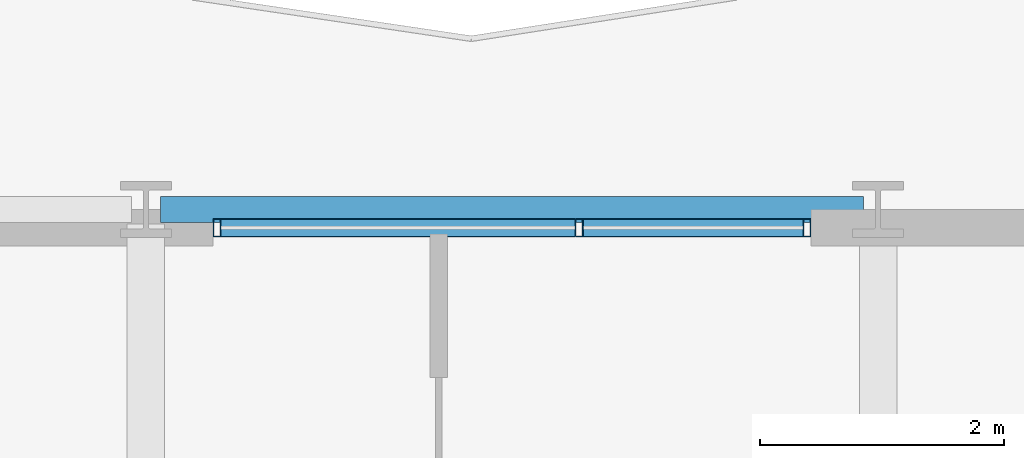
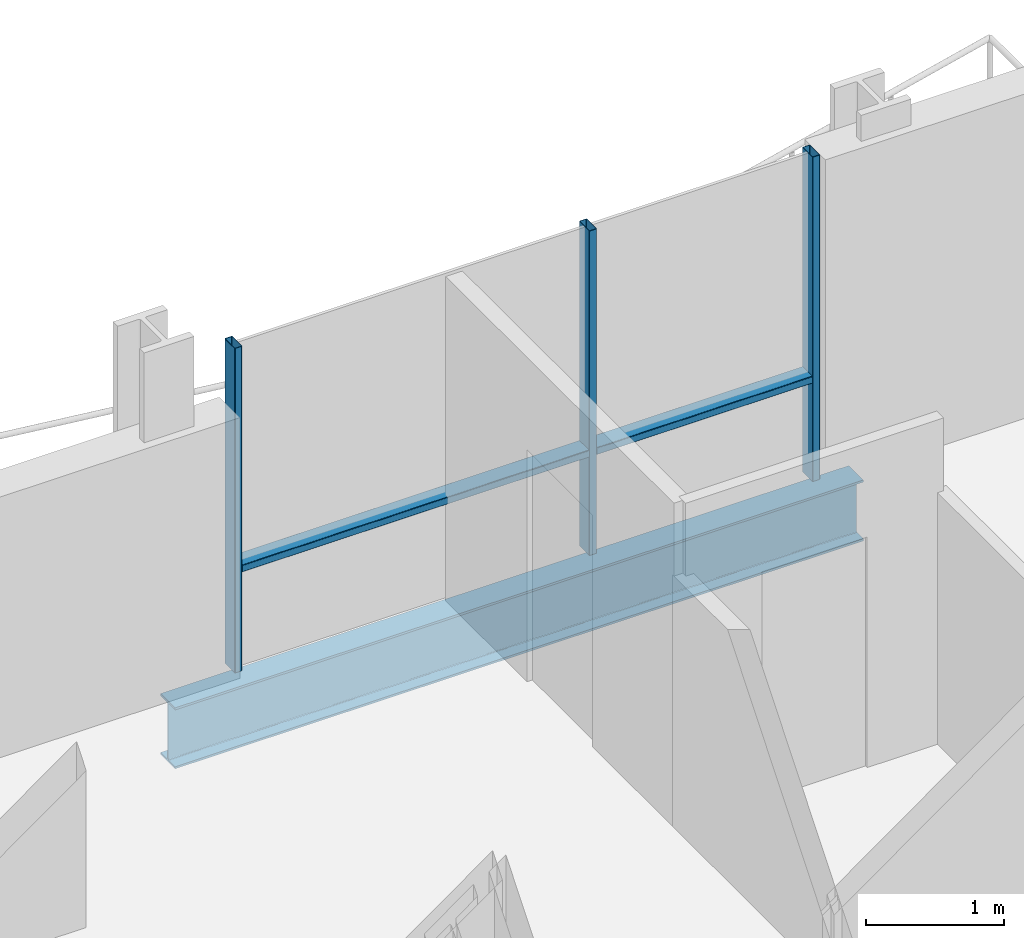
# One storey, part 24 of 41: 5 members, 1 beam, 1 element without a shape of its own.
"""IFC4 building model written with IfcOpenShell, lengths in metres."""

from ifc_helpers import new_model, si_unit, direction, frame, origin, origin_2d, place, context, subcontext, project, spatial, hollow_rectangle, i_section, extrude, material, layer, layer_set, material_profile, profile_set, type_object, element, aggregate, save


model = new_model("IFC4")

# Units and contexts
model_context = context("Model", 3, precision=1e-05, world=origin(), true_north=direction((0.0, 1.0)))
body_context = subcontext(model_context, "Body", "Model", "MODEL_VIEW")
ifc_project = project(units=[si_unit("LENGTHUNIT", "METRE"), si_unit("AREAUNIT", "SQUARE_METRE"), si_unit("VOLUMEUNIT", "CUBIC_METRE"), si_unit("PLANEANGLEUNIT", "RADIAN"), si_unit("MASSUNIT", "GRAM", prefix="KILO")], contexts=[model_context])

# Site, building, storey
site_placement = place(None, origin())
site = spatial("IfcSite", under=ifc_project, at=site_placement, CompositionType="ELEMENT")
building_placement = place(site_placement, origin())
building = spatial("IfcBuilding", under=site, at=building_placement, Name="Brevholm Reach", CompositionType="ELEMENT")
storey_placement = place(building_placement, frame((0.0, 0.0, 68.300048828125)))
storey = spatial("IfcBuildingStorey", under=building, at=storey_placement, Name="L19", CompositionType="ELEMENT", Elevation=68.300048828125)

# Beam
ifc_material_1 = material(Name="Structural Steel S355J2", Category="steel")
ifc_material_profile_1 = material_profile(ifc_material_1, i_section(OverallWidth=0.210693359375, OverallDepth=0.53955078125, WebThickness=0.01171875, FlangeThickness=0.018798828125, FilletRadius=0.0126953125, at=origin_2d()), Name="UKB 533x210x109")
ifc_profile_set_1 = profile_set([ifc_material_profile_1], Name="Structural Steel S355J2")
beam_type = type_object("IfcBeamType", Name="BM-SP539", PredefinedType="SPANDREL", material=ifc_profile_set_1)
beam_placement = place(storey_placement, frame((48.1201171875, 31.0, -0.499755859375), z_axis=(1.0, 0.0, 0.0), x_axis=(0.0, 1.0, 0.0)))
element("IfcBeam", 1, at=beam_placement, inside=storey, type_object=beam_type, Name="L19 SP-01B Framing Beam", PredefinedType="SPANDREL", context=body_context, shape_type="SweptSolid", body=[
    extrude(i_section(OverallWidth=0.210693359375, OverallDepth=0.53955078125, WebThickness=0.01171875, FlangeThickness=0.018798828125, FilletRadius=0.0126953125, at=origin_2d()), origin(), (0.0, 0.0, 1.0), 5.759765625),
])

# Curtain wall, members
ifc_material_2 = material(Name="Dark Anodised Aluminium 6063-T6 and Solar-Control Glass", Category="aluminium")
ifc_layer = layer(ifc_material_2, 0.14990234375)
ifc_layer_set = layer_set([ifc_layer], Name="Dark Anodised Aluminium 6063-T6 and Solar-Control Glass")
curtain_wall_type = type_object("IfcCurtainWallType", Name="CW-01", PredefinedType="NOTDEFINED", material=ifc_layer_set)
curtain_wall_placement = place(storey_placement, origin())
curtain_wall = element("IfcCurtainWall", 2, at=curtain_wall_placement, inside=storey, type_object=curtain_wall_type, Name="L19 Curtain Wall CW-01", PredefinedType="NOTDEFINED")
ifc_material_3 = material(Name="Dark Anodised Aluminium 6063-T6", Category="aluminium")
ifc_material_profile_2 = material_profile(ifc_material_3, hollow_rectangle(XDim=0.06494140625, YDim=0.14990234375, WallThickness=0.0048828125, InnerFilletRadius=0.0048828125, OuterFilletRadius=0.010009765625, at=origin_2d()), Name="RHS 150x65x5")
ifc_profile_set_2 = profile_set([ifc_material_profile_2], Name="Dark Anodised Aluminium 6063-T6")
member_type_1 = type_object("IfcMemberType", Name="CWM-150", PredefinedType="MULLION", material=ifc_profile_set_2)
member_1_placement = place(storey_placement, frame((48.58251953125, 30.85009765625, 0.0), z_axis=(0.0, 0.0, 1.0), x_axis=(1.0, 0.0, 0.0)))
member_1 = element("IfcMember", 3, at=member_1_placement, type_object=member_type_1, Name="CM-150 Mullion 1", PredefinedType="MULLION", context=body_context, shape_type="SweptSolid", body=[
    extrude(hollow_rectangle(XDim=0.06494140625, YDim=0.14990234375, WallThickness=0.0048828125, InnerFilletRadius=0.0048828125, OuterFilletRadius=0.010009765625, at=origin_2d()), origin(), (0.0, 0.0, 1.0), 2.869873046875),
])
member_2_placement = place(storey_placement, frame((51.550048828125, 30.85009765625, 0.0), z_axis=(0.0, 0.0, 1.0), x_axis=(1.0, 0.0, 0.0)))
member_2 = element("IfcMember", 4, at=member_2_placement, type_object=member_type_1, Name="CM-150 Mullion 2", PredefinedType="MULLION", context=body_context, shape_type="SweptSolid", body=[
    extrude(hollow_rectangle(XDim=0.06494140625, YDim=0.14990234375, WallThickness=0.0048828125, InnerFilletRadius=0.0048828125, OuterFilletRadius=0.010009765625, at=origin_2d()), origin(), (0.0, 0.0, 1.0), 2.869873046875),
])
member_3_placement = place(storey_placement, frame((53.41748046875, 30.85009765625, 0.0), z_axis=(0.0, 0.0, 1.0), x_axis=(1.0, 0.0, 0.0)))
member_3 = element("IfcMember", 5, at=member_3_placement, type_object=member_type_1, Name="CM-150 Mullion 3", PredefinedType="MULLION", context=body_context, shape_type="SweptSolid", body=[
    extrude(hollow_rectangle(XDim=0.06494140625, YDim=0.14990234375, WallThickness=0.0048828125, InnerFilletRadius=0.0048828125, OuterFilletRadius=0.010009765625, at=origin_2d()), origin(), (0.0, 0.0, 1.0), 2.869873046875),
])
ifc_material_4 = material(Name="Dark Anodised Aluminium 6063-T6", Category="aluminium")
ifc_material_profile_3 = material_profile(ifc_material_4, hollow_rectangle(XDim=0.06494140625, YDim=0.14990234375, WallThickness=0.0048828125, InnerFilletRadius=0.0048828125, OuterFilletRadius=0.010009765625, at=origin_2d()), Name="RHS 150x65x5")
ifc_profile_set_3 = profile_set([ifc_material_profile_3], Name="Dark Anodised Aluminium 6063-T6")
member_type_2 = type_object("IfcMemberType", Name="CWT-150", PredefinedType="NOTDEFINED", material=ifc_profile_set_3)
member_4_placement = place(storey_placement, frame((48.614990234375, 30.85009765625, 0.89990234375), z_axis=(1.0, 0.0, 0.0), x_axis=(0.0, 0.0, 1.0)))
member_4 = element("IfcMember", 6, at=member_4_placement, type_object=member_type_2, Name="CT-150 Transom 1.1", ObjectType="TRANSOM", PredefinedType="USERDEFINED", context=body_context, shape_type="SweptSolid", body=[
    extrude(hollow_rectangle(XDim=0.06494140625, YDim=0.14990234375, WallThickness=0.0048828125, InnerFilletRadius=0.0048828125, OuterFilletRadius=0.010009765625, at=origin_2d()), origin(), (0.0, 0.0, 1.0), 2.902587890625),
])
member_5_placement = place(storey_placement, frame((51.58251953125, 30.85009765625, 0.89990234375), z_axis=(1.0, 0.0, 0.0), x_axis=(0.0, 0.0, 1.0)))
member_5 = element("IfcMember", 7, at=member_5_placement, type_object=member_type_2, Name="CT-150 Transom 2.1", ObjectType="TRANSOM", PredefinedType="USERDEFINED", context=body_context, shape_type="SweptSolid", body=[
    extrude(hollow_rectangle(XDim=0.06494140625, YDim=0.14990234375, WallThickness=0.0048828125, InnerFilletRadius=0.0048828125, OuterFilletRadius=0.010009765625, at=origin_2d()), origin(), (0.0, 0.0, 1.0), 1.802490234375),
])
aggregate(curtain_wall, [member_1, member_2, member_3, member_4, member_5])

save(model, "model.ifc")
